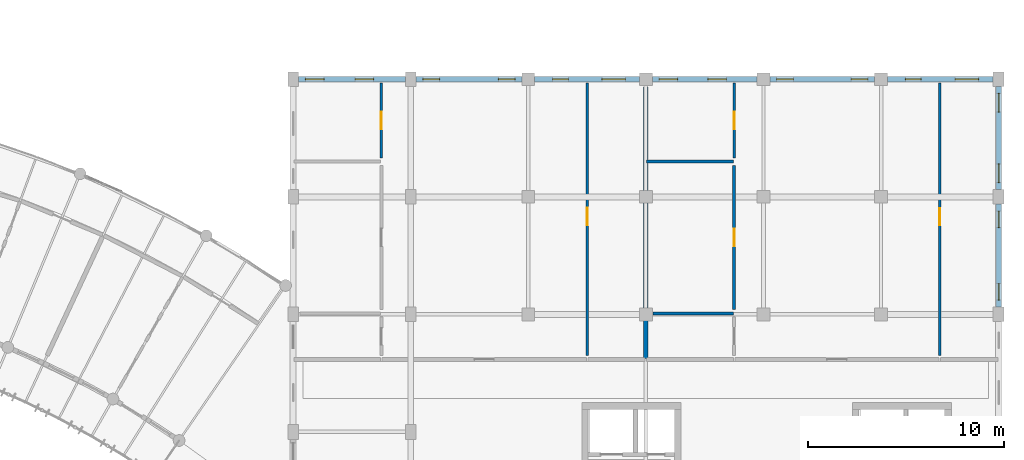
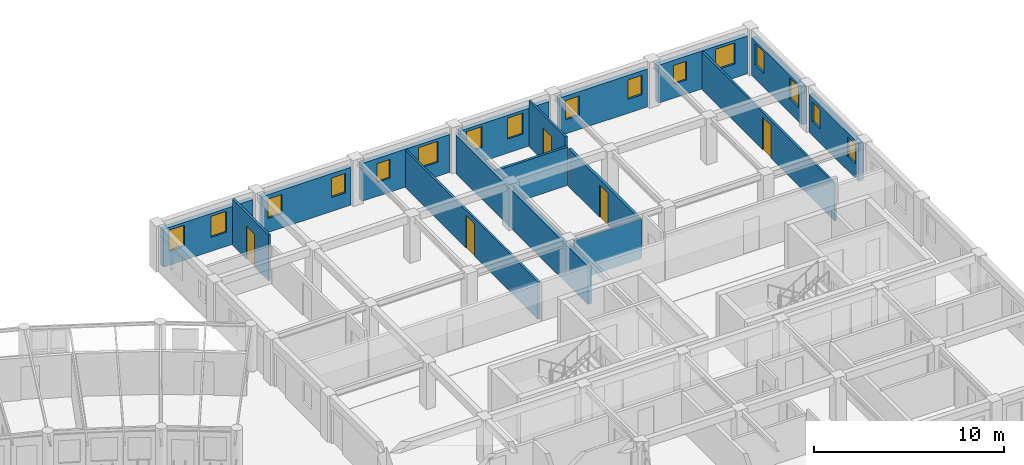
# One storey, part 81 of 100: 16 walls, 16 windows, 5 doors, 21 openings.
"""IFC4 building model written with IfcOpenShell, lengths in metres."""

from ifc_helpers import new_model, si_unit, direction, frame, frame_2d, origin, place, context, subcontext, project, spatial, rectangle, extrude, material, layer, layer_set, type_object, element, fill, save


model = new_model("IFC4")

# Units and contexts
model_context = context("Model", 3, precision=1e-05, world=origin(), true_north=direction((0.0, 1.0)))
body_context = subcontext(model_context, "Body", "Model", "MODEL_VIEW")
ifc_project = project(units=[si_unit("LENGTHUNIT", "METRE"), si_unit("AREAUNIT", "SQUARE_METRE"), si_unit("VOLUMEUNIT", "CUBIC_METRE"), si_unit("PLANEANGLEUNIT", "RADIAN"), si_unit("MASSUNIT", "GRAM", prefix="KILO"), si_unit("POWERUNIT", "WATT"), si_unit("THERMODYNAMICTEMPERATUREUNIT", "KELVIN")], contexts=[model_context])

# Site, building, storey
site_placement = place(None, origin())
site = spatial("IfcSite", under=ifc_project, at=site_placement, CompositionType="ELEMENT")
building_placement = place(site_placement, origin())
building = spatial("IfcBuilding", under=site, at=building_placement, Name="Ruvembo Vaulted Housing Court", CompositionType="ELEMENT")
storey_placement = place(building_placement, frame((0.0, 0.0, 14.10009765625)))
storey = spatial("IfcBuildingStorey", under=building, at=storey_placement, Name="L04", CompositionType="ELEMENT", Elevation=14.10009765625)

# Wall
ifc_material_1 = material(Name="Acoustic Masonry Demising 220", Category="masonry")
ifc_layer_1 = layer(ifc_material_1, 0.219970703125, Name="Acoustic Masonry Demising 220")
ifc_layer_set_1 = layer_set([ifc_layer_1], Name="Acoustic Masonry Demising 220")
wall_type_1 = type_object("IfcWallType", Name="WL-DEM-200", PredefinedType="SOLIDWALL", material=ifc_layer_set_1)
wall_1_placement = place(storey_placement, frame((168.0, 93.739990234375, 0.0), z_axis=(0.0, 0.0, 1.0), x_axis=(0.0, 1.0, 0.0)))
element("IfcWall", 1, at=wall_1_placement, inside=storey, type_object=wall_type_1, Name="L04 Demising D-L04-N1 WL-INT-L04-01268", PredefinedType="SOLIDWALL", context=body_context, shape_type="SweptSolid", body=[
    extrude(rectangle(XDim=13.8701171875, YDim=0.219970703125, at=frame_2d((6.93505859375, 0.0))), origin(), (0.0, 0.0, 1.0), 2.4580078125),
])

# Wall, openings, windows
ifc_material_2 = material(Name="Rendered Masonry 285", Category="masonry")
ifc_layer_2 = layer(ifc_material_2, 0.284912109375, Name="Rendered Masonry 285")
ifc_layer_set_2 = layer_set([ifc_layer_2], Name="Rendered Masonry 285")
wall_type_2 = type_object("IfcWallType", Name="WL-EXT-285", PredefinedType="STANDARD", material=ifc_layer_set_2)
wall_2_placement = place(storey_placement, frame((186.0, 96.375, 0.0), z_axis=(0.0, 0.0, 1.0), x_axis=(0.0, 1.0, 0.0)))
wall_2 = element("IfcWall", 2, at=wall_2_placement, inside=storey, type_object=wall_type_2, Name="Block D L04 Exterior Wall EAST #5", PredefinedType="STANDARD", context=body_context, shape_type="SweptSolid", body=[
    extrude(rectangle(XDim=5.25, YDim=0.284912109375, at=frame_2d((2.625, 0.0))), origin(), (0.0, 0.0, 1.0), 2.431884765625),
])
opening_1_placement = place(wall_2_placement, frame((0.35009765625, 0.0, 0.89990234375)))
opening_1 = element("IfcOpeningElement", 3, at=opening_1_placement, cuts=wall_2, Name="Opening W03", PredefinedType="OPENING", context=body_context, shape_type="SweptSolid", body=[
    extrude(rectangle(XDim=0.85009765625, YDim=1.25, at=frame_2d((0.425048828125, 0.625))), frame((0.0, 0.15234375, 0.0), z_axis=(0.0, -1.0, 0.0), x_axis=(1.0, 0.0, 0.0)), (0.0, 0.0, 1.0), 0.304931640625),
])
opening_2_placement = place(wall_2_placement, frame((4.050048828125, 0.0, 0.89990234375)))
opening_2 = element("IfcOpeningElement", 4, at=opening_2_placement, cuts=wall_2, Name="Opening W03", PredefinedType="OPENING", context=body_context, shape_type="SweptSolid", body=[
    extrude(rectangle(XDim=0.85009765625, YDim=1.25, at=frame_2d((0.425048828125, 0.625))), frame((0.0, 0.15234375, 0.0), z_axis=(0.0, -1.0, 0.0), x_axis=(1.0, 0.0, 0.0)), (0.0, 0.0, 1.0), 0.304931640625),
])
ifc_material_3 = material(Name="Double Solar-Control Glazing in Aluminium Frame", Category="aluminium")
window_type_1 = type_object("IfcWindowType", Name="WIN-0850x1250", PartitioningType="SINGLE_PANEL", PredefinedType="WINDOW", material=ifc_material_3)
window_1_placement = place(opening_1_placement, origin())
window_1 = element("IfcWindow", 5, at=window_1_placement, inside=storey, type_object=window_type_1, Name="Block D L04 Window #1639", OverallHeight=1.25, OverallWidth=0.85009765625, PartitioningType="SINGLE_PANEL", PredefinedType="WINDOW", context=body_context, shape_type="SweptSolid", body=[
    extrude(rectangle(XDim=0.85009765625, YDim=1.25, at=frame_2d((0.425048828125, 0.625))), frame((0.0, 0.030029296875, 0.0), z_axis=(0.0, -1.0, 0.0), x_axis=(1.0, 0.0, 0.0)), (0.0, 0.0, 1.0), 0.06005859375),
])
fill(opening_1, window_1)
window_2_placement = place(opening_2_placement, origin())
window_2 = element("IfcWindow", 6, at=window_2_placement, inside=storey, type_object=window_type_1, Name="Block D L04 Window #1640", OverallHeight=1.25, OverallWidth=0.85009765625, PartitioningType="SINGLE_PANEL", PredefinedType="WINDOW", context=body_context, shape_type="SweptSolid", body=[
    extrude(rectangle(XDim=0.85009765625, YDim=1.25, at=frame_2d((0.425048828125, 0.625))), frame((0.0, 0.030029296875, 0.0), z_axis=(0.0, -1.0, 0.0), x_axis=(1.0, 0.0, 0.0)), (0.0, 0.0, 1.0), 0.06005859375),
])
fill(opening_2, window_2)

wall_3_placement = place(storey_placement, frame((186.0, 102.375, 0.0), z_axis=(0.0, 0.0, 1.0), x_axis=(0.0, 1.0, 0.0)))
wall_3 = element("IfcWall", 7, at=wall_3_placement, inside=storey, type_object=wall_type_2, Name="Block D L04 Exterior Wall EAST #6", PredefinedType="STANDARD", context=body_context, shape_type="SweptSolid", body=[
    extrude(rectangle(XDim=5.25, YDim=0.284912109375, at=frame_2d((2.625, 0.0))), origin(), (0.0, 0.0, 1.0), 2.431884765625),
])
opening_3_placement = place(wall_3_placement, frame((0.35009765625, 0.0, 0.89990234375)))
opening_3 = element("IfcOpeningElement", 8, at=opening_3_placement, cuts=wall_3, Name="Opening W07", PredefinedType="OPENING", context=body_context, shape_type="SweptSolid", body=[
    extrude(rectangle(XDim=0.949951171875, YDim=1.35009765625, at=frame_2d((0.47509765625, 0.675048828125))), frame((0.0, 0.15234375, 0.0), z_axis=(0.0, -1.0, 0.0), x_axis=(1.0, 0.0, 0.0)), (0.0, 0.0, 1.0), 0.304931640625),
])
opening_4_placement = place(wall_3_placement, frame((3.949951171875, 0.0, 0.89990234375)))
opening_4 = element("IfcOpeningElement", 9, at=opening_4_placement, cuts=wall_3, Name="Opening W07", PredefinedType="OPENING", context=body_context, shape_type="SweptSolid", body=[
    extrude(rectangle(XDim=0.949951171875, YDim=1.35009765625, at=frame_2d((0.47509765625, 0.675048828125))), frame((0.0, 0.15234375, 0.0), z_axis=(0.0, -1.0, 0.0), x_axis=(1.0, 0.0, 0.0)), (0.0, 0.0, 1.0), 0.304931640625),
])
window_type_2 = type_object("IfcWindowType", Name="WIN-0950x1350", PartitioningType="SINGLE_PANEL", PredefinedType="WINDOW", material=ifc_material_3)
window_3_placement = place(opening_3_placement, origin())
window_3 = element("IfcWindow", 10, at=window_3_placement, inside=storey, type_object=window_type_2, Name="Block D L04 Window #1641", OverallHeight=1.35009765625, OverallWidth=0.949951171875, PartitioningType="SINGLE_PANEL", PredefinedType="WINDOW", context=body_context, shape_type="SweptSolid", body=[
    extrude(rectangle(XDim=0.949951171875, YDim=1.35009765625, at=frame_2d((0.47509765625, 0.675048828125))), frame((0.0, 0.030029296875, 0.0), z_axis=(0.0, -1.0, 0.0), x_axis=(1.0, 0.0, 0.0)), (0.0, 0.0, 1.0), 0.06005859375),
])
fill(opening_3, window_3)
window_4_placement = place(opening_4_placement, origin())
window_4 = element("IfcWindow", 11, at=window_4_placement, inside=storey, type_object=window_type_2, Name="Block D L04 Window #1642", OverallHeight=1.35009765625, OverallWidth=0.949951171875, PartitioningType="SINGLE_PANEL", PredefinedType="WINDOW", context=body_context, shape_type="SweptSolid", body=[
    extrude(rectangle(XDim=0.949951171875, YDim=1.35009765625, at=frame_2d((0.47509765625, 0.675048828125))), frame((0.0, 0.030029296875, 0.0), z_axis=(0.0, -1.0, 0.0), x_axis=(1.0, 0.0, 0.0)), (0.0, 0.0, 1.0), 0.06005859375),
])
fill(opening_4, window_4)

wall_4_placement = place(storey_placement, frame((185.72509765625, 108.0, 0.0), z_axis=(0.0, 0.0, 1.0), x_axis=(-1.0, 0.0, 0.0)))
wall_4 = element("IfcWall", 12, at=wall_4_placement, inside=storey, type_object=wall_type_2, Name="Block D L04 Exterior Wall STREET #1", PredefinedType="STANDARD", context=body_context, shape_type="SweptSolid", body=[
    extrude(rectangle(XDim=5.400146484375, YDim=0.284912109375, at=frame_2d((2.7001953125, 0.0))), origin(), (0.0, 0.0, 1.0), 2.431884765625),
])
opening_5_placement = place(wall_4_placement, frame((0.742431640625, 0.0, 0.89990234375)))
opening_5 = element("IfcOpeningElement", 13, at=opening_5_placement, cuts=wall_4, Name="Opening W12", PredefinedType="OPENING", context=body_context, shape_type="SweptSolid", body=[
    extrude(rectangle(XDim=1.199951171875, YDim=1.35009765625, at=frame_2d((0.60009765625, 0.675048828125))), frame((0.0, 0.15234375, 0.0), z_axis=(0.0, -1.0, 0.0), x_axis=(1.0, 0.0, 0.0)), (0.0, 0.0, 1.0), 0.304931640625),
])
opening_6_placement = place(wall_4_placement, frame((3.6826171875, 0.0, 0.89990234375)))
opening_6 = element("IfcOpeningElement", 14, at=opening_6_placement, cuts=wall_4, Name="Opening W02", PredefinedType="OPENING", context=body_context, shape_type="SweptSolid", body=[
    extrude(rectangle(XDim=0.800048828125, YDim=1.199951171875, at=frame_2d((0.39990234375, 0.60009765625))), frame((0.0, 0.15234375, 0.0), z_axis=(0.0, -1.0, 0.0), x_axis=(1.0, 0.0, 0.0)), (0.0, 0.0, 1.0), 0.304931640625),
])
window_type_3 = type_object("IfcWindowType", Name="WIN-0800x1200", PartitioningType="SINGLE_PANEL", PredefinedType="WINDOW", material=ifc_material_3)
window_5_placement = place(opening_6_placement, origin())
window_5 = element("IfcWindow", 15, at=window_5_placement, inside=storey, type_object=window_type_3, Name="Block D L04 Window #1644", OverallHeight=1.199951171875, OverallWidth=0.800048828125, PartitioningType="SINGLE_PANEL", PredefinedType="WINDOW", context=body_context, shape_type="SweptSolid", body=[
    extrude(rectangle(XDim=0.800048828125, YDim=1.199951171875, at=frame_2d((0.39990234375, 0.60009765625))), frame((0.0, 0.030029296875, 0.0), z_axis=(0.0, -1.0, 0.0), x_axis=(1.0, 0.0, 0.0)), (0.0, 0.0, 1.0), 0.06005859375),
])
fill(opening_6, window_5)
window_type_4 = type_object("IfcWindowType", Name="WIN-1200x1350", PartitioningType="SINGLE_PANEL", PredefinedType="WINDOW", material=ifc_material_3)
window_6_placement = place(opening_5_placement, origin())
window_6 = element("IfcWindow", 16, at=window_6_placement, inside=storey, type_object=window_type_4, Name="Block D L04 Window #1643", OverallHeight=1.35009765625, OverallWidth=1.199951171875, PartitioningType="SINGLE_PANEL", PredefinedType="WINDOW", context=body_context, shape_type="SweptSolid", body=[
    extrude(rectangle(XDim=1.199951171875, YDim=1.35009765625, at=frame_2d((0.60009765625, 0.675048828125))), frame((0.0, 0.030029296875, 0.0), z_axis=(0.0, -1.0, 0.0), x_axis=(1.0, 0.0, 0.0)), (0.0, 0.0, 1.0), 0.06005859375),
])
fill(opening_5, window_6)

wall_5_placement = place(storey_placement, frame((179.675048828125, 108.0, 0.0), z_axis=(0.0, 0.0, 1.0), x_axis=(-1.0, 0.0, 0.0)))
wall_5 = element("IfcWall", 17, at=wall_5_placement, inside=storey, type_object=wall_type_2, Name="Block D L04 Exterior Wall STREET #2", PredefinedType="STANDARD", context=body_context, shape_type="SweptSolid", body=[
    extrude(rectangle(XDim=5.35009765625, YDim=0.284912109375, at=frame_2d((2.675048828125, 0.0))), origin(), (0.0, 0.0, 1.0), 2.431884765625),
])
opening_7_placement = place(wall_5_placement, frame((0.35009765625, 0.0, 0.89990234375)))
opening_7 = element("IfcOpeningElement", 18, at=opening_7_placement, cuts=wall_5, Name="Opening W03", PredefinedType="OPENING", context=body_context, shape_type="SweptSolid", body=[
    extrude(rectangle(XDim=0.85009765625, YDim=1.25, at=frame_2d((0.425048828125, 0.625))), frame((0.0, 0.15234375, 0.0), z_axis=(0.0, -1.0, 0.0), x_axis=(1.0, 0.0, 0.0)), (0.0, 0.0, 1.0), 0.304931640625),
])
opening_8_placement = place(wall_5_placement, frame((4.14990234375, 0.0, 0.89990234375)))
opening_8 = element("IfcOpeningElement", 19, at=opening_8_placement, cuts=wall_5, Name="Opening W03", PredefinedType="OPENING", context=body_context, shape_type="SweptSolid", body=[
    extrude(rectangle(XDim=0.85009765625, YDim=1.25, at=frame_2d((0.425048828125, 0.625))), frame((0.0, 0.15234375, 0.0), z_axis=(0.0, -1.0, 0.0), x_axis=(1.0, 0.0, 0.0)), (0.0, 0.0, 1.0), 0.304931640625),
])
window_7_placement = place(opening_7_placement, origin())
window_7 = element("IfcWindow", 20, at=window_7_placement, inside=storey, type_object=window_type_1, Name="Block D L04 Window #1645", OverallHeight=1.25, OverallWidth=0.85009765625, PartitioningType="SINGLE_PANEL", PredefinedType="WINDOW", context=body_context, shape_type="SweptSolid", body=[
    extrude(rectangle(XDim=0.85009765625, YDim=1.25, at=frame_2d((0.425048828125, 0.625))), frame((0.0, 0.030029296875, 0.0), z_axis=(0.0, -1.0, 0.0), x_axis=(1.0, 0.0, 0.0)), (0.0, 0.0, 1.0), 0.06005859375),
])
fill(opening_7, window_7)
window_8_placement = place(opening_8_placement, origin())
window_8 = element("IfcWindow", 21, at=window_8_placement, inside=storey, type_object=window_type_1, Name="Block D L04 Window #1646", OverallHeight=1.25, OverallWidth=0.85009765625, PartitioningType="SINGLE_PANEL", PredefinedType="WINDOW", context=body_context, shape_type="SweptSolid", body=[
    extrude(rectangle(XDim=0.85009765625, YDim=1.25, at=frame_2d((0.425048828125, 0.625))), frame((0.0, 0.030029296875, 0.0), z_axis=(0.0, -1.0, 0.0), x_axis=(1.0, 0.0, 0.0)), (0.0, 0.0, 1.0), 0.06005859375),
])
fill(opening_8, window_8)

wall_6_placement = place(storey_placement, frame((173.675048828125, 108.0, 0.0), z_axis=(0.0, 0.0, 1.0), x_axis=(-1.0, 0.0, 0.0)))
wall_6 = element("IfcWall", 22, at=wall_6_placement, inside=storey, type_object=wall_type_2, Name="Block D L04 Exterior Wall STREET #3", PredefinedType="STANDARD", context=body_context, shape_type="SweptSolid", body=[
    extrude(rectangle(XDim=5.35009765625, YDim=0.284912109375, at=frame_2d((2.675048828125, 0.0))), origin(), (0.0, 0.0, 1.0), 2.431884765625),
])
opening_9_placement = place(wall_6_placement, frame((1.56494140625, 0.0, 0.89990234375)))
opening_9 = element("IfcOpeningElement", 23, at=opening_9_placement, cuts=wall_6, Name="Opening W07", PredefinedType="OPENING", context=body_context, shape_type="SweptSolid", body=[
    extrude(rectangle(XDim=0.949951171875, YDim=1.35009765625, at=frame_2d((0.47509765625, 0.675048828125))), frame((0.0, 0.15234375, 0.0), z_axis=(0.0, -1.0, 0.0), x_axis=(1.0, 0.0, 0.0)), (0.0, 0.0, 1.0), 0.304931640625),
])
opening_10_placement = place(wall_6_placement, frame((4.050048828125, 0.0, 0.89990234375)))
opening_10 = element("IfcOpeningElement", 24, at=opening_10_placement, cuts=wall_6, Name="Opening W07", PredefinedType="OPENING", context=body_context, shape_type="SweptSolid", body=[
    extrude(rectangle(XDim=0.949951171875, YDim=1.35009765625, at=frame_2d((0.47509765625, 0.675048828125))), frame((0.0, 0.15234375, 0.0), z_axis=(0.0, -1.0, 0.0), x_axis=(1.0, 0.0, 0.0)), (0.0, 0.0, 1.0), 0.304931640625),
])
window_9_placement = place(opening_9_placement, origin())
window_9 = element("IfcWindow", 25, at=window_9_placement, inside=storey, type_object=window_type_2, Name="Block D L04 Window #1647", OverallHeight=1.35009765625, OverallWidth=0.949951171875, PartitioningType="SINGLE_PANEL", PredefinedType="WINDOW", context=body_context, shape_type="SweptSolid", body=[
    extrude(rectangle(XDim=0.949951171875, YDim=1.35009765625, at=frame_2d((0.47509765625, 0.675048828125))), frame((0.0, 0.030029296875, 0.0), z_axis=(0.0, -1.0, 0.0), x_axis=(1.0, 0.0, 0.0)), (0.0, 0.0, 1.0), 0.06005859375),
])
fill(opening_9, window_9)
window_10_placement = place(opening_10_placement, origin())
window_10 = element("IfcWindow", 26, at=window_10_placement, inside=storey, type_object=window_type_2, Name="Block D L04 Window #1648", OverallHeight=1.35009765625, OverallWidth=0.949951171875, PartitioningType="SINGLE_PANEL", PredefinedType="WINDOW", context=body_context, shape_type="SweptSolid", body=[
    extrude(rectangle(XDim=0.949951171875, YDim=1.35009765625, at=frame_2d((0.47509765625, 0.675048828125))), frame((0.0, 0.030029296875, 0.0), z_axis=(0.0, -1.0, 0.0), x_axis=(1.0, 0.0, 0.0)), (0.0, 0.0, 1.0), 0.06005859375),
])
fill(opening_10, window_10)

wall_7_placement = place(storey_placement, frame((167.675048828125, 108.0, 0.0), z_axis=(0.0, 0.0, 1.0), x_axis=(-1.0, 0.0, 0.0)))
wall_7 = element("IfcWall", 27, at=wall_7_placement, inside=storey, type_object=wall_type_2, Name="Block D L04 Exterior Wall STREET #4", PredefinedType="STANDARD", context=body_context, shape_type="SweptSolid", body=[
    extrude(rectangle(XDim=5.35009765625, YDim=0.284912109375, at=frame_2d((2.675048828125, 0.0))), origin(), (0.0, 0.0, 1.0), 2.431884765625),
])
opening_11_placement = place(wall_7_placement, frame((0.717529296875, 0.0, 0.89990234375)))
opening_11 = element("IfcOpeningElement", 28, at=opening_11_placement, cuts=wall_7, Name="Opening W12", PredefinedType="OPENING", context=body_context, shape_type="SweptSolid", body=[
    extrude(rectangle(XDim=1.199951171875, YDim=1.35009765625, at=frame_2d((0.60009765625, 0.675048828125))), frame((0.0, 0.15234375, 0.0), z_axis=(0.0, -1.0, 0.0), x_axis=(1.0, 0.0, 0.0)), (0.0, 0.0, 1.0), 0.304931640625),
])
opening_12_placement = place(wall_7_placement, frame((3.632568359375, 0.0, 0.89990234375)))
opening_12 = element("IfcOpeningElement", 29, at=opening_12_placement, cuts=wall_7, Name="Opening W02", PredefinedType="OPENING", context=body_context, shape_type="SweptSolid", body=[
    extrude(rectangle(XDim=0.800048828125, YDim=1.199951171875, at=frame_2d((0.39990234375, 0.60009765625))), frame((0.0, 0.15234375, 0.0), z_axis=(0.0, -1.0, 0.0), x_axis=(1.0, 0.0, 0.0)), (0.0, 0.0, 1.0), 0.304931640625),
])
window_11_placement = place(opening_12_placement, origin())
window_11 = element("IfcWindow", 30, at=window_11_placement, inside=storey, type_object=window_type_3, Name="Block D L04 Window #1650", OverallHeight=1.199951171875, OverallWidth=0.800048828125, PartitioningType="SINGLE_PANEL", PredefinedType="WINDOW", context=body_context, shape_type="SweptSolid", body=[
    extrude(rectangle(XDim=0.800048828125, YDim=1.199951171875, at=frame_2d((0.39990234375, 0.60009765625))), frame((0.0, 0.030029296875, 0.0), z_axis=(0.0, -1.0, 0.0), x_axis=(1.0, 0.0, 0.0)), (0.0, 0.0, 1.0), 0.06005859375),
])
fill(opening_12, window_11)
window_12_placement = place(opening_11_placement, origin())
window_12 = element("IfcWindow", 31, at=window_12_placement, inside=storey, type_object=window_type_4, Name="Block D L04 Window #1649", OverallHeight=1.35009765625, OverallWidth=1.199951171875, PartitioningType="SINGLE_PANEL", PredefinedType="WINDOW", context=body_context, shape_type="SweptSolid", body=[
    extrude(rectangle(XDim=1.199951171875, YDim=1.35009765625, at=frame_2d((0.60009765625, 0.675048828125))), frame((0.0, 0.030029296875, 0.0), z_axis=(0.0, -1.0, 0.0), x_axis=(1.0, 0.0, 0.0)), (0.0, 0.0, 1.0), 0.06005859375),
])
fill(opening_11, window_12)

wall_8_placement = place(storey_placement, frame((161.675048828125, 108.0, 0.0), z_axis=(0.0, 0.0, 1.0), x_axis=(-1.0, 0.0, 0.0)))
wall_8 = element("IfcWall", 32, at=wall_8_placement, inside=storey, type_object=wall_type_2, Name="Block D L04 Exterior Wall STREET #5", PredefinedType="STANDARD", context=body_context, shape_type="SweptSolid", body=[
    extrude(rectangle(XDim=5.400146484375, YDim=0.284912109375, at=frame_2d((2.7001953125, 0.0))), origin(), (0.0, 0.0, 1.0), 2.431884765625),
])
opening_13_placement = place(wall_8_placement, frame((0.35009765625, 0.0, 0.89990234375)))
opening_13 = element("IfcOpeningElement", 33, at=opening_13_placement, cuts=wall_8, Name="Opening W03", PredefinedType="OPENING", context=body_context, shape_type="SweptSolid", body=[
    extrude(rectangle(XDim=0.85009765625, YDim=1.25, at=frame_2d((0.425048828125, 0.625))), frame((0.0, 0.15234375, 0.0), z_axis=(0.0, -1.0, 0.0), x_axis=(1.0, 0.0, 0.0)), (0.0, 0.0, 1.0), 0.304931640625),
])
opening_14_placement = place(wall_8_placement, frame((4.199951171875, 0.0, 0.89990234375)))
opening_14 = element("IfcOpeningElement", 34, at=opening_14_placement, cuts=wall_8, Name="Opening W03", PredefinedType="OPENING", context=body_context, shape_type="SweptSolid", body=[
    extrude(rectangle(XDim=0.85009765625, YDim=1.25, at=frame_2d((0.425048828125, 0.625))), frame((0.0, 0.15234375, 0.0), z_axis=(0.0, -1.0, 0.0), x_axis=(1.0, 0.0, 0.0)), (0.0, 0.0, 1.0), 0.304931640625),
])
window_13_placement = place(opening_13_placement, origin())
window_13 = element("IfcWindow", 35, at=window_13_placement, inside=storey, type_object=window_type_1, Name="Block D L04 Window #1651", OverallHeight=1.25, OverallWidth=0.85009765625, PartitioningType="SINGLE_PANEL", PredefinedType="WINDOW", context=body_context, shape_type="SweptSolid", body=[
    extrude(rectangle(XDim=0.85009765625, YDim=1.25, at=frame_2d((0.425048828125, 0.625))), frame((0.0, 0.030029296875, 0.0), z_axis=(0.0, -1.0, 0.0), x_axis=(1.0, 0.0, 0.0)), (0.0, 0.0, 1.0), 0.06005859375),
])
fill(opening_13, window_13)
window_14_placement = place(opening_14_placement, origin())
window_14 = element("IfcWindow", 36, at=window_14_placement, inside=storey, type_object=window_type_1, Name="Block D L04 Window #1652", OverallHeight=1.25, OverallWidth=0.85009765625, PartitioningType="SINGLE_PANEL", PredefinedType="WINDOW", context=body_context, shape_type="SweptSolid", body=[
    extrude(rectangle(XDim=0.85009765625, YDim=1.25, at=frame_2d((0.425048828125, 0.625))), frame((0.0, 0.030029296875, 0.0), z_axis=(0.0, -1.0, 0.0), x_axis=(1.0, 0.0, 0.0)), (0.0, 0.0, 1.0), 0.06005859375),
])
fill(opening_14, window_14)

wall_9_placement = place(storey_placement, frame((155.72509765625, 108.0, 0.0), z_axis=(0.0, 0.0, 1.0), x_axis=(-1.0, 0.0, 0.0)))
wall_9 = element("IfcWall", 37, at=wall_9_placement, inside=storey, type_object=wall_type_2, Name="Block D L04 Exterior Wall STREET #6", PredefinedType="STANDARD", context=body_context, shape_type="SweptSolid", body=[
    extrude(rectangle(XDim=5.4501953125, YDim=0.284912109375, at=frame_2d((2.72509765625, 0.0))), origin(), (0.0, 0.0, 1.0), 2.431884765625),
])
opening_15_placement = place(wall_9_placement, frame((1.614990234375, 0.0, 0.89990234375)))
opening_15 = element("IfcOpeningElement", 38, at=opening_15_placement, cuts=wall_9, Name="Opening W07", PredefinedType="OPENING", context=body_context, shape_type="SweptSolid", body=[
    extrude(rectangle(XDim=0.949951171875, YDim=1.35009765625, at=frame_2d((0.47509765625, 0.675048828125))), frame((0.0, 0.15234375, 0.0), z_axis=(0.0, -1.0, 0.0), x_axis=(1.0, 0.0, 0.0)), (0.0, 0.0, 1.0), 0.304931640625),
])
opening_16_placement = place(wall_9_placement, frame((4.14990234375, 0.0, 0.89990234375)))
opening_16 = element("IfcOpeningElement", 39, at=opening_16_placement, cuts=wall_9, Name="Opening W07", PredefinedType="OPENING", context=body_context, shape_type="SweptSolid", body=[
    extrude(rectangle(XDim=0.949951171875, YDim=1.35009765625, at=frame_2d((0.47509765625, 0.675048828125))), frame((0.0, 0.15234375, 0.0), z_axis=(0.0, -1.0, 0.0), x_axis=(1.0, 0.0, 0.0)), (0.0, 0.0, 1.0), 0.304931640625),
])
window_15_placement = place(opening_15_placement, origin())
window_15 = element("IfcWindow", 40, at=window_15_placement, inside=storey, type_object=window_type_2, Name="Block D L04 Window #1653", OverallHeight=1.35009765625, OverallWidth=0.949951171875, PartitioningType="SINGLE_PANEL", PredefinedType="WINDOW", context=body_context, shape_type="SweptSolid", body=[
    extrude(rectangle(XDim=0.949951171875, YDim=1.35009765625, at=frame_2d((0.47509765625, 0.675048828125))), frame((0.0, 0.030029296875, 0.0), z_axis=(0.0, -1.0, 0.0), x_axis=(1.0, 0.0, 0.0)), (0.0, 0.0, 1.0), 0.06005859375),
])
fill(opening_15, window_15)
window_16_placement = place(opening_16_placement, origin())
window_16 = element("IfcWindow", 41, at=window_16_placement, inside=storey, type_object=window_type_2, Name="Block D L04 Window #1654", OverallHeight=1.35009765625, OverallWidth=0.949951171875, PartitioningType="SINGLE_PANEL", PredefinedType="WINDOW", context=body_context, shape_type="SweptSolid", body=[
    extrude(rectangle(XDim=0.949951171875, YDim=1.35009765625, at=frame_2d((0.47509765625, 0.675048828125))), frame((0.0, 0.030029296875, 0.0), z_axis=(0.0, -1.0, 0.0), x_axis=(1.0, 0.0, 0.0)), (0.0, 0.0, 1.0), 0.06005859375),
])
fill(opening_16, window_16)

# Wall, opening, door
ifc_material_4 = material(Name="Plasterboard Stud Partition 125", Category="gypsum")
ifc_layer_3 = layer(ifc_material_4, 0.125, Name="Plasterboard Stud Partition 125")
ifc_layer_set_3 = layer_set([ifc_layer_3], Name="Plasterboard Stud Partition 125")
wall_type_3 = type_object("IfcWallType", Name="WL-PART-125", PredefinedType="PARTITIONING", material=ifc_layer_set_3)
wall_10_placement = place(storey_placement, frame((154.5, 103.989990234375, 0.0), z_axis=(0.0, 0.0, 1.0), x_axis=(0.0, 1.0, 0.0)))
wall_10 = element("IfcWall", 42, at=wall_10_placement, inside=storey, type_object=wall_type_3, Name="L04 Flat D-L04-N1 Bedroom 1 WL-INT-L04-01271", PredefinedType="PARTITIONING", context=body_context, shape_type="SweptSolid", body=[
    extrude(rectangle(XDim=3.820068359375, YDim=0.125, at=frame_2d((1.91015625, 0.0))), origin(), (0.0, 0.0, 1.0), 2.949951171875),
])
opening_17_placement = place(wall_10_placement, frame((1.469970703125, 0.0, 0.0)))
opening_17 = element("IfcOpeningElement", 43, at=opening_17_placement, cuts=wall_10, Name="Opening ID3", PredefinedType="OPENING", context=body_context, shape_type="SweptSolid", body=[
    extrude(rectangle(XDim=0.8798828125, YDim=2.10009765625, at=frame_2d((0.43994140625, 1.050048828125))), frame((0.0, 0.072509765625, 0.0), z_axis=(0.0, -1.0, 0.0), x_axis=(1.0, 0.0, 0.0)), (0.0, 0.0, 1.0), 0.14501953125),
])
ifc_material_5 = material(Name="FSC Hardwood and Engineered Timber", Category="wood")
door_type_1 = type_object("IfcDoorType", Name="DR-ROOM-0880x2100", OperationType="NOTDEFINED", PredefinedType="DOOR", material=ifc_material_5)
door_1_placement = place(opening_17_placement, origin())
door_1 = element("IfcDoor", 44, at=door_1_placement, inside=storey, type_object=door_type_1, Name="L04 Flat D-L04-N1 Bedroom 1 Door DR-INT-L04-00707", OperationType="SINGLE_SWING_LEFT", OverallHeight=2.10009765625, OverallWidth=0.8798828125, PredefinedType="DOOR", context=body_context, shape_type="SweptSolid", body=[
    extrude(rectangle(XDim=0.8798828125, YDim=2.10009765625, at=frame_2d((0.43994140625, 1.050048828125))), frame((0.0, 0.02490234375, 0.0), z_axis=(0.0, -1.0, 0.0), x_axis=(1.0, 0.0, 0.0)), (0.0, 0.0, 1.0), 0.050048828125),
])
fill(opening_17, door_1)

wall_11_placement = place(storey_placement, frame((165.0, 93.889892578125, 0.0), z_axis=(0.0, 0.0, 1.0), x_axis=(0.0, 1.0, 0.0)))
wall_11 = element("IfcWall", 45, at=wall_11_placement, inside=storey, type_object=wall_type_3, Name="L04 Flat D-L04-N1 Bedroom 2 WL-INT-L04-01277", PredefinedType="PARTITIONING", context=body_context, shape_type="SweptSolid", body=[
    extrude(rectangle(XDim=13.920166015625, YDim=0.125, at=frame_2d((6.9599609375, 0.0))), origin(), (0.0, 0.0, 1.0), 2.407958984375),
])
opening_18_placement = place(wall_11_placement, frame((6.64990234375, 0.0, 0.0)))
opening_18 = element("IfcOpeningElement", 46, at=opening_18_placement, cuts=wall_11, Name="Opening ID1", PredefinedType="OPENING", context=body_context, shape_type="SweptSolid", body=[
    extrude(rectangle(XDim=0.89990234375, YDim=2.10009765625, at=frame_2d((0.449951171875, 1.050048828125))), frame((0.0, 0.072509765625, 0.0), z_axis=(0.0, -1.0, 0.0), x_axis=(1.0, 0.0, 0.0)), (0.0, 0.0, 1.0), 0.14501953125),
])
door_type_2 = type_object("IfcDoorType", Name="DR-ROOM-0900x2100", OperationType="NOTDEFINED", PredefinedType="DOOR", material=ifc_material_5)
door_2_placement = place(opening_18_placement, origin())
door_2 = element("IfcDoor", 47, at=door_2_placement, inside=storey, type_object=door_type_2, Name="L04 Flat D-L04-N1 Bedroom 2 Door DR-INT-L04-00710", OperationType="SINGLE_SWING_RIGHT", OverallHeight=2.10009765625, OverallWidth=0.89990234375, PredefinedType="DOOR", context=body_context, shape_type="SweptSolid", body=[
    extrude(rectangle(XDim=0.89990234375, YDim=2.10009765625, at=frame_2d((0.449951171875, 1.050048828125))), frame((0.0, 0.02490234375, 0.0), z_axis=(0.0, -1.0, 0.0), x_axis=(1.0, 0.0, 0.0)), (0.0, 0.0, 1.0), 0.050048828125),
])
fill(opening_18, door_2)

wall_12_placement = place(storey_placement, frame((172.5, 103.989990234375, 0.0), z_axis=(0.0, 0.0, 1.0), x_axis=(0.0, 1.0, 0.0)))
wall_12 = element("IfcWall", 48, at=wall_12_placement, inside=storey, type_object=wall_type_3, Name="L04 Flat D-L04-N2 Bedroom 1 WL-INT-L04-01280", PredefinedType="PARTITIONING", context=body_context, shape_type="SweptSolid", body=[
    extrude(rectangle(XDim=3.820068359375, YDim=0.125, at=frame_2d((1.91015625, 0.0))), origin(), (0.0, 0.0, 1.0), 2.949951171875),
])
opening_19_placement = place(wall_12_placement, frame((1.4599609375, 0.0, 0.0)))
opening_19 = element("IfcOpeningElement", 49, at=opening_19_placement, cuts=wall_12, Name="Opening ID1", PredefinedType="OPENING", context=body_context, shape_type="SweptSolid", body=[
    extrude(rectangle(XDim=0.89990234375, YDim=2.10009765625, at=frame_2d((0.449951171875, 1.050048828125))), frame((0.0, 0.072509765625, 0.0), z_axis=(0.0, -1.0, 0.0), x_axis=(1.0, 0.0, 0.0)), (0.0, 0.0, 1.0), 0.14501953125),
])
door_3_placement = place(opening_19_placement, origin())
door_3 = element("IfcDoor", 50, at=door_3_placement, inside=storey, type_object=door_type_2, Name="L04 Flat D-L04-N2 Bedroom 1 Door DR-INT-L04-00712", OperationType="SINGLE_SWING_RIGHT", OverallHeight=2.10009765625, OverallWidth=0.89990234375, PredefinedType="DOOR", context=body_context, shape_type="SweptSolid", body=[
    extrude(rectangle(XDim=0.89990234375, YDim=2.10009765625, at=frame_2d((0.449951171875, 1.050048828125))), frame((0.0, 0.02490234375, 0.0), z_axis=(0.0, -1.0, 0.0), x_axis=(1.0, 0.0, 0.0)), (0.0, 0.0, 1.0), 0.050048828125),
])
fill(opening_19, door_3)

wall_13_placement = place(storey_placement, frame((183.0, 93.889892578125, 0.0), z_axis=(0.0, 0.0, 1.0), x_axis=(0.0, 1.0, 0.0)))
wall_13 = element("IfcWall", 51, at=wall_13_placement, inside=storey, type_object=wall_type_3, Name="L04 Flat D-L04-N2 Bedroom 2 WL-INT-L04-01286", PredefinedType="PARTITIONING", context=body_context, shape_type="SweptSolid", body=[
    extrude(rectangle(XDim=13.920166015625, YDim=0.125, at=frame_2d((6.9599609375, 0.0))), origin(), (0.0, 0.0, 1.0), 2.407958984375),
])
opening_20_placement = place(wall_13_placement, frame((6.64990234375, 0.0, 0.0)))
opening_20 = element("IfcOpeningElement", 52, at=opening_20_placement, cuts=wall_13, Name="Opening ID3", PredefinedType="OPENING", context=body_context, shape_type="SweptSolid", body=[
    extrude(rectangle(XDim=0.8798828125, YDim=2.10009765625, at=frame_2d((0.43994140625, 1.050048828125))), frame((0.0, 0.072509765625, 0.0), z_axis=(0.0, -1.0, 0.0), x_axis=(1.0, 0.0, 0.0)), (0.0, 0.0, 1.0), 0.14501953125),
])
door_4_placement = place(opening_20_placement, origin())
door_4 = element("IfcDoor", 53, at=door_4_placement, inside=storey, type_object=door_type_1, Name="L04 Flat D-L04-N2 Bedroom 2 Door DR-INT-L04-00715", OperationType="SINGLE_SWING_LEFT", OverallHeight=2.10009765625, OverallWidth=0.8798828125, PredefinedType="DOOR", context=body_context, shape_type="SweptSolid", body=[
    extrude(rectangle(XDim=0.8798828125, YDim=2.10009765625, at=frame_2d((0.43994140625, 1.050048828125))), frame((0.0, 0.02490234375, 0.0), z_axis=(0.0, -1.0, 0.0), x_axis=(1.0, 0.0, 0.0)), (0.0, 0.0, 1.0), 0.050048828125),
])
fill(opening_20, door_4)

# Walls
ifc_material_6 = material(Name="Moisture-Resistant Wet Partition 150", Category="gypsum")
ifc_layer_4 = layer(ifc_material_6, 0.14990234375, Name="Moisture-Resistant Wet Partition 150")
ifc_layer_set_4 = layer_set([ifc_layer_4], Name="Moisture-Resistant Wet Partition 150")
wall_type_4 = type_object("IfcWallType", Name="WL-PART-150", PredefinedType="PARTITIONING", material=ifc_layer_set_4)
wall_14_placement = place(storey_placement, frame((168.0400390625, 103.800048828125, 0.0), z_axis=(0.0, 0.0, 1.0), x_axis=(1.0, 0.0, 0.0)))
element("IfcWall", 54, at=wall_14_placement, inside=storey, type_object=wall_type_4, Name="L04 Flat D-L04-N2 Wet Wall 1 WL-INT-L04-01283", PredefinedType="PARTITIONING", context=body_context, shape_type="SweptSolid", body=[
    extrude(rectangle(XDim=4.419921875, YDim=0.14990234375, at=frame_2d((2.2099609375, 0.0))), origin(), (0.0, 0.0, 1.0), 2.4580078125),
])
wall_15_placement = place(storey_placement, frame((168.360107421875, 96.050048828125, 0.0), z_axis=(0.0, 0.0, 1.0), x_axis=(1.0, 0.0, 0.0)))
element("IfcWall", 55, at=wall_15_placement, inside=storey, type_object=wall_type_4, Name="L04 Flat D-L04-N2 Wet Wall 2 WL-INT-L04-01284", PredefinedType="PARTITIONING", context=body_context, shape_type="SweptSolid", body=[
    extrude(rectangle(XDim=4.099853515625, YDim=0.14990234375, at=frame_2d((2.0498046875, 0.0))), origin(), (0.0, 0.0, 1.0), 2.5478515625),
])

# Wall, opening, door
ifc_material_7 = material(Name="Acoustic Service Chase Wall 160", Category="gypsum")
ifc_layer_5 = layer(ifc_material_7, 0.159912109375, Name="Acoustic Service Chase Wall 160")
ifc_layer_set_5 = layer_set([ifc_layer_5], Name="Acoustic Service Chase Wall 160")
wall_type_5 = type_object("IfcWallType", Name="WL-PLUMB-160", PredefinedType="PLUMBINGWALL", material=ifc_layer_set_5)
wall_16_placement = place(storey_placement, frame((172.5, 96.239990234375, 0.0), z_axis=(0.0, 0.0, 1.0), x_axis=(0.0, 1.0, 0.0)))
wall_16 = element("IfcWall", 56, at=wall_16_placement, inside=storey, type_object=wall_type_5, Name="L04 Flat D-L04-N2 Kitchen WL-INT-L04-01281", PredefinedType="PLUMBINGWALL", context=body_context, shape_type="SweptSolid", body=[
    extrude(rectangle(XDim=7.3701171875, YDim=0.159912109375, at=frame_2d((3.68505859375, 0.0))), origin(), (0.0, 0.0, 1.0), 2.431884765625),
])
opening_21_placement = place(wall_16_placement, frame((3.2451171875, 0.0, 0.0)))
opening_21 = element("IfcOpeningElement", 57, at=opening_21_placement, cuts=wall_16, Name="Opening ID3", PredefinedType="OPENING", context=body_context, shape_type="SweptSolid", body=[
    extrude(rectangle(XDim=0.8798828125, YDim=2.10009765625, at=frame_2d((0.43994140625, 1.050048828125))), frame((0.0, 0.08984375, 0.0), z_axis=(0.0, -1.0, 0.0), x_axis=(1.0, 0.0, 0.0)), (0.0, 0.0, 1.0), 0.179931640625),
])
door_5_placement = place(opening_21_placement, origin())
door_5 = element("IfcDoor", 58, at=door_5_placement, inside=storey, type_object=door_type_1, Name="L04 Flat D-L04-N2 Kitchen Door DR-INT-L04-00713", OperationType="SINGLE_SWING_LEFT", OverallHeight=2.10009765625, OverallWidth=0.8798828125, PredefinedType="DOOR", context=body_context, shape_type="SweptSolid", body=[
    extrude(rectangle(XDim=0.8798828125, YDim=2.10009765625, at=frame_2d((0.43994140625, 1.050048828125))), frame((0.0, 0.02490234375, 0.0), z_axis=(0.0, -1.0, 0.0), x_axis=(1.0, 0.0, 0.0)), (0.0, 0.0, 1.0), 0.050048828125),
])
fill(opening_21, door_5)

save(model, "model.ifc")
